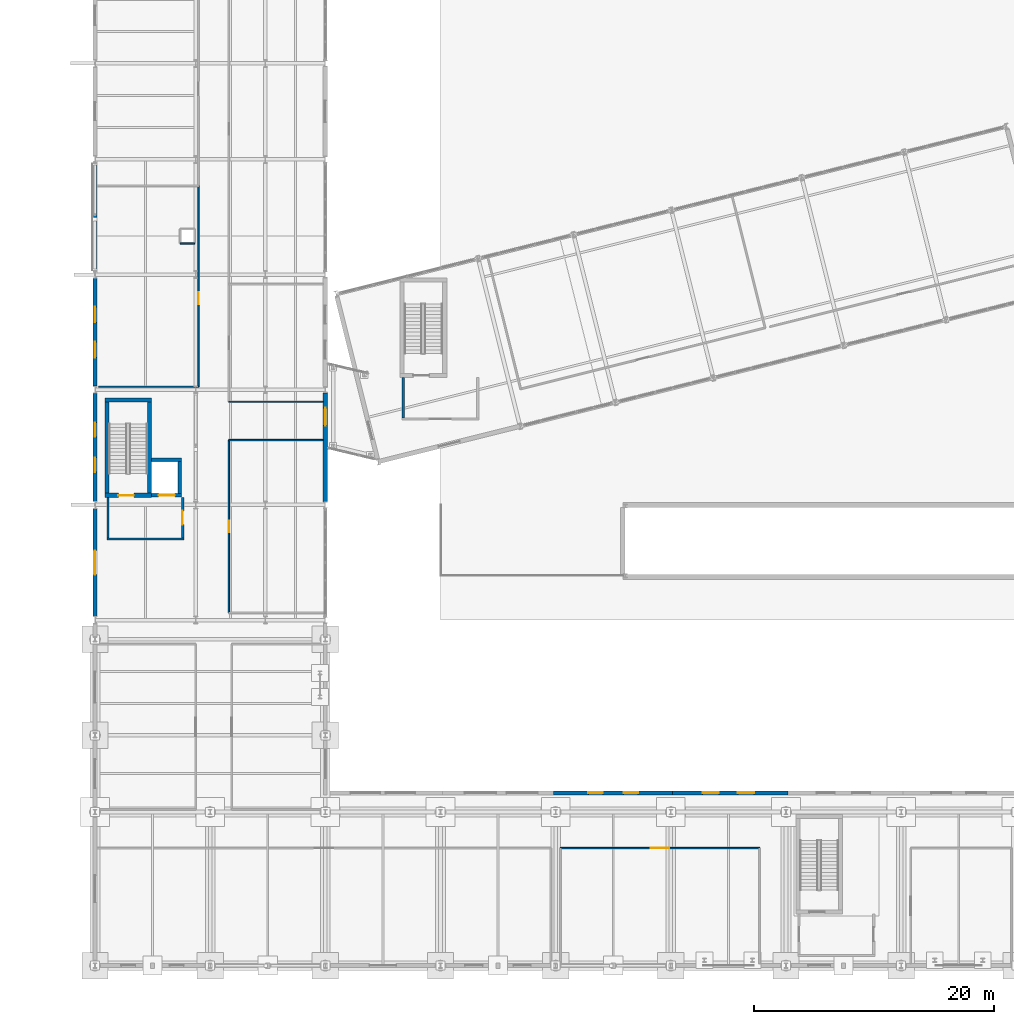
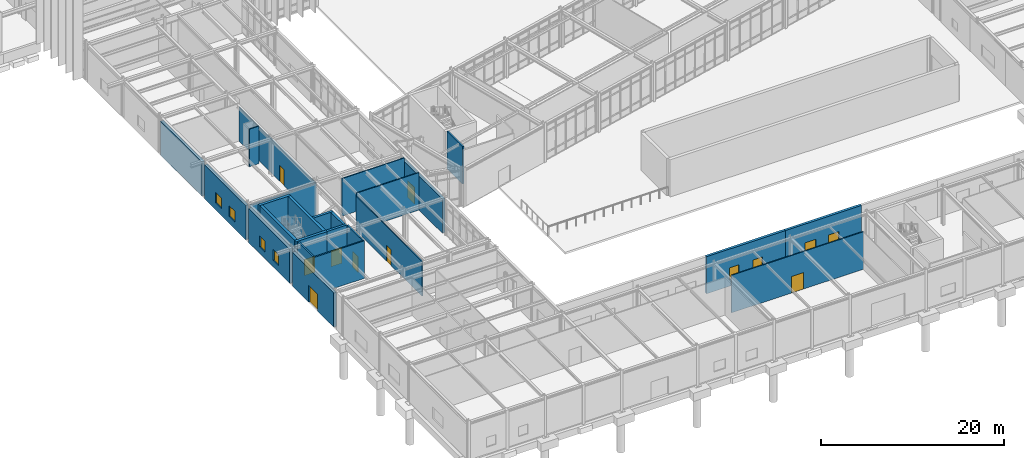
# One storey, part 85 of 109: 25 walls, 8 doors, 8 windows, 16 openings.
"""IFC4 building model written with IfcOpenShell, lengths in metres."""

from ifc_helpers import new_model, si_unit, direction, frame, frame_2d, origin, place, context, subcontext, project, spatial, rectangle, extrude, material, layer, layer_set, type_object, element, fill, save


model = new_model("IFC4")

# Units and contexts
model_context = context("Model", 3, precision=1e-05, world=origin(), true_north=direction((0.0, 1.0)))
body_context = subcontext(model_context, "Body", "Model", "MODEL_VIEW")
ifc_project = project(units=[si_unit("LENGTHUNIT", "METRE"), si_unit("AREAUNIT", "SQUARE_METRE"), si_unit("VOLUMEUNIT", "CUBIC_METRE"), si_unit("PLANEANGLEUNIT", "RADIAN"), si_unit("MASSUNIT", "GRAM", prefix="KILO")], contexts=[model_context])

# Site, building, storey
site_placement = place(None, origin())
site = spatial("IfcSite", under=ifc_project, at=site_placement, CompositionType="ELEMENT")
building_placement = place(site_placement, origin())
building = spatial("IfcBuilding", under=site, at=building_placement, Name="Nordkorset Police Headquarters", CompositionType="ELEMENT")
storey_placement = place(building_placement, origin())
storey = spatial("IfcBuildingStorey", under=building, at=storey_placement, Name="L00", CompositionType="ELEMENT", Elevation=0.0)

# Walls
ifc_material_1 = material(Name="Gypsum board", Category="gypsum")
ifc_layer_1 = layer(ifc_material_1, 0.179931640625, Name="Gypsum board")
ifc_layer_set_1 = layer_set([ifc_layer_1], Name="Gypsum board")
wall_type_1 = type_object("IfcWallType", Name="Wall_Comp_180", PredefinedType="PARTITIONING", material=ifc_layer_set_1)
wall_1_placement = place(storey_placement, frame((1.0, 35.56005859375, 0.0), z_axis=(0.0, 0.0, 1.0), x_axis=(1.0, 0.0, 0.0)))
element("IfcWall", 1, at=wall_1_placement, inside=storey, type_object=wall_type_1, Name="Firefighting Lobby EI 60 Wall K4 L00 S", PredefinedType="PARTITIONING", context=body_context, shape_type="SweptSolid", body=[
    extrude(rectangle(XDim=6.39990234375, YDim=0.179931640625, at=frame_2d((3.199951171875, 0.0))), origin(), (0.0, 0.0, 1.0), 5.0),
])
wall_2_placement = place(storey_placement, frame((1.090087890625, 35.64990234375, 0.0), z_axis=(0.0, 0.0, 1.0), x_axis=(0.0, 1.0, 0.0)))
element("IfcWall", 2, at=wall_2_placement, inside=storey, type_object=wall_type_1, Name="Firefighting Lobby EI 60 Wall K4 L00 W", PredefinedType="PARTITIONING", context=body_context, shape_type="SweptSolid", body=[
    extrude(rectangle(XDim=3.375, YDim=0.179931640625, at=frame_2d((1.6875, 0.0))), origin(), (0.0, 0.0, 1.0), 5.0),
])

# Wall, opening, door
wall_3_placement = place(storey_placement, frame((7.31005859375, 35.64990234375, 0.0), z_axis=(0.0, 0.0, 1.0), x_axis=(0.0, 1.0, 0.0)))
wall_3 = element("IfcWall", 3, at=wall_3_placement, inside=storey, type_object=wall_type_1, Name="Firefighting Lobby EI 60 Wall K4 L00 E", PredefinedType="PARTITIONING", context=body_context, shape_type="SweptSolid", body=[
    extrude(rectangle(XDim=3.375, YDim=0.179931640625, at=frame_2d((1.6875, 0.0))), origin(), (0.0, 0.0, 1.0), 5.0),
])
opening_1_placement = place(wall_3_placement, frame((1.112548828125, 0.0, 0.0)))
opening_1 = element("IfcOpeningElement", 4, at=opening_1_placement, cuts=wall_3, Name="Opening DR-01", PredefinedType="OPENING", context=body_context, shape_type="SweptSolid", body=[
    extrude(rectangle(XDim=1.14990234375, YDim=2.14990234375, at=frame_2d((0.574951171875, 1.074951171875))), frame((0.0, 0.10009765625, 0.0), z_axis=(0.0, -1.0, 0.0), x_axis=(1.0, 0.0, 0.0)), (0.0, 0.0, 1.0), 0.199951171875),
])
ifc_material_2 = material(Name="Steel S355J2", Category="steel")
door_type_1 = type_object("IfcDoorType", Name="Door_LobbySingle_1150x2150", OperationType="NOTDEFINED", PredefinedType="DOOR", material=ifc_material_2)
door_1_placement = place(opening_1_placement, origin())
door_1 = element("IfcDoor", 5, at=door_1_placement, inside=storey, type_object=door_type_1, Name="Firefighting Lobby Smoke Door K4 L00 E", OperationType="SINGLE_SWING_LEFT", OverallHeight=2.14990234375, OverallWidth=1.14990234375, PredefinedType="DOOR", context=body_context, shape_type="SweptSolid", body=[
    extrude(rectangle(XDim=1.14990234375, YDim=2.14990234375, at=frame_2d((0.574951171875, 1.074951171875))), frame((0.0, 0.02490234375, 0.0), z_axis=(0.0, -1.0, 0.0), x_axis=(1.0, 0.0, 0.0)), (0.0, 0.0, 1.0), 0.050048828125),
])
fill(opening_1, door_1)

# Wall
wall_4_placement = place(storey_placement, frame((25.68994140625, 45.64990234375, 0.0), z_axis=(0.0, 0.0, 1.0), x_axis=(0.0, 1.0, 0.0)))
element("IfcWall", 6, at=wall_4_placement, inside=storey, type_object=wall_type_1, Name="Firefighting Lobby EI 60 Wall K7 L00 W", PredefinedType="PARTITIONING", context=body_context, shape_type="SweptSolid", body=[
    extrude(rectangle(XDim=3.375, YDim=0.179931640625, at=frame_2d((1.6875, 0.0))), origin(), (0.0, 0.0, 1.0), 5.0),
])

# Wall, opening, door
ifc_material_3 = material(Name="Concrete C35/45", Category="concrete")
ifc_layer_2 = layer(ifc_material_3, 0.35009765625, Name="Concrete C35/45")
ifc_layer_set_2 = layer_set([ifc_layer_2], Name="Concrete C35/45")
wall_type_2 = type_object("IfcWallType", Name="Wall_CoreShear_350", PredefinedType="SHEAR", material=ifc_layer_set_2)
wall_5_placement = place(storey_placement, frame((0.824951171875, 39.199951171875, 0.0), z_axis=(0.0, 0.0, 1.0), x_axis=(1.0, 0.0, 0.0)))
wall_5 = element("IfcWall", 7, at=wall_5_placement, inside=storey, type_object=wall_type_2, Name="Core K4 Stair Shaft South Shear Wall L00", PredefinedType="SHEAR", context=body_context, shape_type="SweptSolid", body=[
    extrude(rectangle(XDim=3.900146484375, YDim=0.35009765625, at=frame_2d((1.9501953125, 0.0))), origin(), (0.0, 0.0, 1.0), 5.0),
])
opening_2_placement = place(wall_5_placement, frame((1.125, 0.0, 0.0)))
opening_2 = element("IfcOpeningElement", 8, at=opening_2_placement, cuts=wall_5, Name="Opening DR-20", PredefinedType="OPENING", context=body_context, shape_type="SweptSolid", body=[
    extrude(rectangle(XDim=1.300048828125, YDim=2.14990234375, at=frame_2d((0.64990234375, 1.074951171875))), frame((0.0, 0.18505859375, 0.0), z_axis=(0.0, -1.0, 0.0), x_axis=(1.0, 0.0, 0.0)), (0.0, 0.0, 1.0), 0.3701171875),
])
ifc_material_4 = material(Name="Steel S355J2", Category="steel")
door_type_2 = type_object("IfcDoorType", Name="Door_Stair_1300x2150", OperationType="NOTDEFINED", PredefinedType="DOOR", material=ifc_material_4)
door_2_placement = place(opening_2_placement, origin())
door_2 = element("IfcDoor", 9, at=door_2_placement, inside=storey, type_object=door_type_2, Name="Protected Stair Fire Door ST-04 L00", OperationType="SINGLE_SWING_RIGHT", OverallHeight=2.14990234375, OverallWidth=1.300048828125, PredefinedType="DOOR", context=body_context, shape_type="SweptSolid", body=[
    extrude(rectangle(XDim=1.300048828125, YDim=2.14990234375, at=frame_2d((0.64990234375, 1.074951171875))), frame((0.0, 0.02490234375, 0.0), z_axis=(0.0, -1.0, 0.0), x_axis=(1.0, 0.0, 0.0)), (0.0, 0.0, 1.0), 0.050048828125),
])
fill(opening_2, door_2)

# Walls
wall_6_placement = place(storey_placement, frame((0.824951171875, 47.14990234375, 0.0), z_axis=(0.0, 0.0, 1.0), x_axis=(1.0, 0.0, 0.0)))
element("IfcWall", 10, at=wall_6_placement, inside=storey, type_object=wall_type_2, Name="Core K4 Stair Shaft North Shear Wall L00", PredefinedType="SHEAR", context=body_context, shape_type="SweptSolid", body=[
    extrude(rectangle(XDim=3.900146484375, YDim=0.35009765625, at=frame_2d((1.9501953125, 0.0))), origin(), (0.0, 0.0, 1.0), 5.0),
])
for number, where, z_axis, x_axis, name in (
    (11, (1.0, 39.375, 0.0), (0.0, 0.0, 1.0), (0.0, 1.0, 0.0), "Core K4 Stair Shaft West Shear Wall L00"),
    (12, (4.550048828125, 39.375, 0.0), (0.0, 0.0, 1.0), (0.0, 1.0, 0.0), "Core K4 Stair Shaft East Shear Wall L00"),
):
    element("IfcWall", number, at=place(storey_placement, frame(where, z_axis=z_axis, x_axis=x_axis)), inside=storey, type_object=wall_type_2, Name=name, PredefinedType="SHEAR", context=body_context, shape_type="SweptSolid", body=[
        extrude(rectangle(XDim=7.60009765625, YDim=0.35009765625, at=frame_2d((3.800048828125, 0.0))), origin(), (0.0, 0.0, 1.0), 5.0),
    ])

# Wall, openings, windows
ifc_material_5 = material(Name="Precast concrete C40/50", Category="concrete")
ifc_layer_3 = layer(ifc_material_5, 0.320068359375, Name="Precast concrete C40/50")
ifc_layer_set_3 = layer_set([ifc_layer_3], Name="Precast concrete C40/50")
wall_type_3 = type_object("IfcWallType", Name="Wall_ExtPlinth_320", PredefinedType="SOLIDWALL", material=ifc_layer_set_3)
wall_7_placement = place(storey_placement, frame((38.239990234375, 14.39990234375, 0.0), z_axis=(0.0, 0.0, 1.0), x_axis=(1.0, 0.0, 0.0)))
wall_7 = element("IfcWall", 13, at=wall_7_placement, inside=storey, type_object=wall_type_3, Name="Exterior Insulated Precast Wall L00 V7N-4", PredefinedType="SOLIDWALL", context=body_context, shape_type="SweptSolid", body=[
    extrude(rectangle(XDim=9.919921875, YDim=0.320068359375, at=frame_2d((4.9599609375, 0.0))), origin(), (0.0, 0.0, 1.0), 4.949951171875),
])
opening_3_placement = place(wall_7_placement, frame((2.893310546875, 0.0, 0.89990234375)))
opening_3 = element("IfcOpeningElement", 14, at=opening_3_placement, cuts=wall_7, Name="Opening WN-45", PredefinedType="OPENING", context=body_context, shape_type="SweptSolid", body=[
    extrude(rectangle(XDim=1.199951171875, YDim=1.550048828125, at=frame_2d((0.60009765625, 0.77490234375))), frame((0.0, 0.169921875, 0.0), z_axis=(0.0, -1.0, 0.0), x_axis=(1.0, 0.0, 0.0)), (0.0, 0.0, 1.0), 0.340087890625),
])
opening_4_placement = place(wall_7_placement, frame((5.82666015625, 0.0, 0.89990234375)))
opening_4 = element("IfcOpeningElement", 15, at=opening_4_placement, cuts=wall_7, Name="Opening WN-45", PredefinedType="OPENING", context=body_context, shape_type="SweptSolid", body=[
    extrude(rectangle(XDim=1.199951171875, YDim=1.550048828125, at=frame_2d((0.60009765625, 0.77490234375))), frame((0.0, 0.169921875, 0.0), z_axis=(0.0, -1.0, 0.0), x_axis=(1.0, 0.0, 0.0)), (0.0, 0.0, 1.0), 0.340087890625),
])
ifc_material_6 = material(Name="Low-iron triple glazing", Category="glass")
window_type_1 = type_object("IfcWindowType", Name="Win_1200x1550", PartitioningType="SINGLE_PANEL", PredefinedType="WINDOW", material=ifc_material_6)
window_1_placement = place(opening_3_placement, origin())
window_1 = element("IfcWindow", 16, at=window_1_placement, inside=storey, type_object=window_type_1, Name="Triple-Glazed Exterior Window L00 V7N-4-1", OverallHeight=1.550048828125, OverallWidth=1.199951171875, PartitioningType="SINGLE_PANEL", PredefinedType="WINDOW", context=body_context, shape_type="SweptSolid", body=[
    extrude(rectangle(XDim=1.199951171875, YDim=1.550048828125, at=frame_2d((0.60009765625, 0.77490234375))), frame((0.0, 0.030029296875, 0.0), z_axis=(0.0, -1.0, 0.0), x_axis=(1.0, 0.0, 0.0)), (0.0, 0.0, 1.0), 0.06005859375),
])
fill(opening_3, window_1)
window_2_placement = place(opening_4_placement, origin())
window_2 = element("IfcWindow", 17, at=window_2_placement, inside=storey, type_object=window_type_1, Name="Triple-Glazed Exterior Window L00 V7N-4-2", OverallHeight=1.550048828125, OverallWidth=1.199951171875, PartitioningType="SINGLE_PANEL", PredefinedType="WINDOW", context=body_context, shape_type="SweptSolid", body=[
    extrude(rectangle(XDim=1.199951171875, YDim=1.550048828125, at=frame_2d((0.60009765625, 0.77490234375))), frame((0.0, 0.030029296875, 0.0), z_axis=(0.0, -1.0, 0.0), x_axis=(1.0, 0.0, 0.0)), (0.0, 0.0, 1.0), 0.06005859375),
])
fill(opening_4, window_2)

wall_8_placement = place(storey_placement, frame((47.840087890625, 14.39990234375, 0.0), z_axis=(0.0, 0.0, 1.0), x_axis=(1.0, 0.0, 0.0)))
wall_8 = element("IfcWall", 18, at=wall_8_placement, inside=storey, type_object=wall_type_3, Name="Exterior Insulated Precast Wall L00 V7N-5", PredefinedType="SOLIDWALL", context=body_context, shape_type="SweptSolid", body=[
    extrude(rectangle(XDim=9.919921875, YDim=0.320068359375, at=frame_2d((4.9599609375, 0.0))), origin(), (0.0, 0.0, 1.0), 4.949951171875),
])
opening_5_placement = place(wall_8_placement, frame((2.818359375, 0.0, 0.89990234375)))
opening_5 = element("IfcOpeningElement", 19, at=opening_5_placement, cuts=wall_8, Name="Opening WN-22", PredefinedType="OPENING", context=body_context, shape_type="SweptSolid", body=[
    extrude(rectangle(XDim=1.35009765625, YDim=1.550048828125, at=frame_2d((0.675048828125, 0.77490234375))), frame((0.0, 0.169921875, 0.0), z_axis=(0.0, -1.0, 0.0), x_axis=(1.0, 0.0, 0.0)), (0.0, 0.0, 1.0), 0.340087890625),
])
opening_6_placement = place(wall_8_placement, frame((5.751708984375, 0.0, 0.89990234375)))
opening_6 = element("IfcOpeningElement", 20, at=opening_6_placement, cuts=wall_8, Name="Opening WN-22", PredefinedType="OPENING", context=body_context, shape_type="SweptSolid", body=[
    extrude(rectangle(XDim=1.35009765625, YDim=1.550048828125, at=frame_2d((0.675048828125, 0.77490234375))), frame((0.0, 0.169921875, 0.0), z_axis=(0.0, -1.0, 0.0), x_axis=(1.0, 0.0, 0.0)), (0.0, 0.0, 1.0), 0.340087890625),
])
ifc_material_7 = material(Name="Low-iron triple glazing", Category="glass")
window_type_2 = type_object("IfcWindowType", Name="Win_1350x1550", PartitioningType="SINGLE_PANEL", PredefinedType="WINDOW", material=ifc_material_7)
window_3_placement = place(opening_5_placement, origin())
window_3 = element("IfcWindow", 21, at=window_3_placement, inside=storey, type_object=window_type_2, Name="Triple-Glazed Exterior Window L00 V7N-5-1", OverallHeight=1.550048828125, OverallWidth=1.35009765625, PartitioningType="SINGLE_PANEL", PredefinedType="WINDOW", context=body_context, shape_type="SweptSolid", body=[
    extrude(rectangle(XDim=1.35009765625, YDim=1.550048828125, at=frame_2d((0.675048828125, 0.77490234375))), frame((0.0, 0.030029296875, 0.0), z_axis=(0.0, -1.0, 0.0), x_axis=(1.0, 0.0, 0.0)), (0.0, 0.0, 1.0), 0.06005859375),
])
fill(opening_5, window_3)
window_4_placement = place(opening_6_placement, origin())
window_4 = element("IfcWindow", 22, at=window_4_placement, inside=storey, type_object=window_type_2, Name="Triple-Glazed Exterior Window L00 V7N-5-2", OverallHeight=1.550048828125, OverallWidth=1.35009765625, PartitioningType="SINGLE_PANEL", PredefinedType="WINDOW", context=body_context, shape_type="SweptSolid", body=[
    extrude(rectangle(XDim=1.35009765625, YDim=1.550048828125, at=frame_2d((0.675048828125, 0.77490234375))), frame((0.0, 0.030029296875, 0.0), z_axis=(0.0, -1.0, 0.0), x_axis=(1.0, 0.0, 0.0)), (0.0, 0.0, 1.0), 0.06005859375),
])
fill(opening_6, window_4)

# Wall, opening, door
ifc_material_8 = material(Name="Precast concrete C40/50", Category="concrete")
ifc_layer_4 = layer(ifc_material_8, 0.360107421875, Name="Precast concrete C40/50")
ifc_layer_set_4 = layer_set([ifc_layer_4], Name="Precast concrete C40/50")
wall_type_4 = type_object("IfcWallType", Name="Wall_ExtPrecast_360", PredefinedType="SOLIDWALL", material=ifc_layer_set_4)
wall_9_placement = place(storey_placement, frame((0.0, 29.10205078125, 0.0), z_axis=(0.0, 0.0, 1.0), x_axis=(0.0, 1.0, 0.0)))
wall_9 = element("IfcWall", 23, at=wall_9_placement, inside=storey, type_object=wall_type_4, Name="Exterior Insulated Precast Wall L00 V3W-0", PredefinedType="SOLIDWALL", context=body_context, shape_type="SweptSolid", body=[
    extrude(rectangle(XDim=8.995849609375, YDim=0.360107421875, at=frame_2d((4.498046875, 0.0))), origin(), (0.0, 0.0, 1.0), 4.5400390625),
])
opening_7_placement = place(wall_9_placement, frame((3.498046875, 0.0, 0.0)))
opening_7 = element("IfcOpeningElement", 24, at=opening_7_placement, cuts=wall_9, Name="Opening ED-06", PredefinedType="OPENING", context=body_context, shape_type="SweptSolid", body=[
    extrude(rectangle(XDim=2.0, YDim=2.25, at=frame_2d((1.0, 1.125))), frame((0.0, 0.18994140625, 0.0), z_axis=(0.0, -1.0, 0.0), x_axis=(1.0, 0.0, 0.0)), (0.0, 0.0, 1.0), 0.380126953125),
])
ifc_material_9 = material(Name="Steel S355J2", Category="steel")
door_type_3 = type_object("IfcDoorType", Name="ExtDoor_CoreExit_2000x2250", OperationType="DOUBLE_DOOR_SINGLE_SWING", PredefinedType="DOOR", material=ifc_material_9)
door_3_placement = place(opening_7_placement, origin())
door_3 = element("IfcDoor", 25, at=door_3_placement, inside=storey, type_object=door_type_3, Name="Forensic Wing Boulevard Final Exit Door ED-06", OperationType="SINGLE_SWING_LEFT", OverallHeight=2.25, OverallWidth=2.0, PredefinedType="DOOR", context=body_context, shape_type="SweptSolid", body=[
    extrude(rectangle(XDim=2.0, YDim=2.25, at=frame_2d((1.0, 1.125))), frame((0.0, 0.02490234375, 0.0), z_axis=(0.0, -1.0, 0.0), x_axis=(1.0, 0.0, 0.0)), (0.0, 0.0, 1.0), 0.050048828125),
])
fill(opening_7, door_3)

# Wall, openings, windows
wall_10_placement = place(storey_placement, frame((0.0, 38.701904296875, 0.0), z_axis=(0.0, 0.0, 1.0), x_axis=(0.0, 1.0, 0.0)))
wall_10 = element("IfcWall", 26, at=wall_10_placement, inside=storey, type_object=wall_type_4, Name="Exterior Insulated Precast Wall L00 V3W-1", PredefinedType="SOLIDWALL", context=body_context, shape_type="SweptSolid", body=[
    extrude(rectangle(XDim=8.99609375, YDim=0.360107421875, at=frame_2d((4.498046875, 0.0))), origin(), (0.0, 0.0, 1.0), 4.5400390625),
])
opening_8_placement = place(wall_10_placement, frame((2.431396484375, 0.0, 0.89990234375)))
opening_8 = element("IfcOpeningElement", 27, at=opening_8_placement, cuts=wall_10, Name="Opening WN-09", PredefinedType="OPENING", context=body_context, shape_type="SweptSolid", body=[
    extrude(rectangle(XDim=1.199951171875, YDim=1.449951171875, at=frame_2d((0.60009765625, 0.72509765625))), frame((0.0, 0.18994140625, 0.0), z_axis=(0.0, -1.0, 0.0), x_axis=(1.0, 0.0, 0.0)), (0.0, 0.0, 1.0), 0.380126953125),
])
opening_9_placement = place(wall_10_placement, frame((5.36474609375, 0.0, 0.89990234375)))
opening_9 = element("IfcOpeningElement", 28, at=opening_9_placement, cuts=wall_10, Name="Opening WN-09", PredefinedType="OPENING", context=body_context, shape_type="SweptSolid", body=[
    extrude(rectangle(XDim=1.199951171875, YDim=1.449951171875, at=frame_2d((0.60009765625, 0.72509765625))), frame((0.0, 0.18994140625, 0.0), z_axis=(0.0, -1.0, 0.0), x_axis=(1.0, 0.0, 0.0)), (0.0, 0.0, 1.0), 0.380126953125),
])
ifc_material_10 = material(Name="Low-iron triple glazing", Category="glass")
window_type_3 = type_object("IfcWindowType", Name="Win_1200x1450", PartitioningType="SINGLE_PANEL", PredefinedType="WINDOW", material=ifc_material_10)
window_5_placement = place(opening_8_placement, origin())
window_5 = element("IfcWindow", 29, at=window_5_placement, inside=storey, type_object=window_type_3, Name="Triple-Glazed Exterior Window L00 V3W-1-1", OverallHeight=1.449951171875, OverallWidth=1.199951171875, PartitioningType="SINGLE_PANEL", PredefinedType="WINDOW", context=body_context, shape_type="SweptSolid", body=[
    extrude(rectangle(XDim=1.199951171875, YDim=1.449951171875, at=frame_2d((0.60009765625, 0.72509765625))), frame((0.0, 0.030029296875, 0.0), z_axis=(0.0, -1.0, 0.0), x_axis=(1.0, 0.0, 0.0)), (0.0, 0.0, 1.0), 0.06005859375),
])
fill(opening_8, window_5)
window_6_placement = place(opening_9_placement, origin())
window_6 = element("IfcWindow", 30, at=window_6_placement, inside=storey, type_object=window_type_3, Name="Triple-Glazed Exterior Window L00 V3W-1-2", OverallHeight=1.449951171875, OverallWidth=1.199951171875, PartitioningType="SINGLE_PANEL", PredefinedType="WINDOW", context=body_context, shape_type="SweptSolid", body=[
    extrude(rectangle(XDim=1.199951171875, YDim=1.449951171875, at=frame_2d((0.60009765625, 0.72509765625))), frame((0.0, 0.030029296875, 0.0), z_axis=(0.0, -1.0, 0.0), x_axis=(1.0, 0.0, 0.0)), (0.0, 0.0, 1.0), 0.06005859375),
])
fill(opening_9, window_6)

# Wall, opening, door
wall_11_placement = place(storey_placement, frame((19.199951171875, 38.652099609375, 0.0), z_axis=(0.0, 0.0, 1.0), x_axis=(0.0, 1.0, 0.0)))
wall_11 = element("IfcWall", 31, at=wall_11_placement, inside=storey, type_object=wall_type_4, Name="Exterior Insulated Precast Wall L00 V3E-1", PredefinedType="SOLIDWALL", context=body_context, shape_type="SweptSolid", body=[
    extrude(rectangle(XDim=9.095947265625, YDim=0.360107421875, at=frame_2d((4.5478515625, 0.0))), origin(), (0.0, 0.0, 1.0), 4.5400390625),
])
opening_10_placement = place(wall_11_placement, frame((6.347900390625, 0.0, 0.0)))
opening_10 = element("IfcOpeningElement", 32, at=opening_10_placement, cuts=wall_11, Name="Opening EXD-03", PredefinedType="OPENING", context=body_context, shape_type="SweptSolid", body=[
    extrude(rectangle(XDim=1.5, YDim=2.199951171875, at=frame_2d((0.75, 1.10009765625))), frame((0.0, 0.18994140625, 0.0), z_axis=(0.0, -1.0, 0.0), x_axis=(1.0, 0.0, 0.0)), (0.0, 0.0, 1.0), 0.380126953125),
])
ifc_material_11 = material(Name="Aluminium alloy AW-6060", Category="aluminium")
door_type_4 = type_object("IfcDoorType", Name="ExtDoor_BridgePortal_1500x2200", OperationType="DOUBLE_DOOR_SINGLE_SWING", PredefinedType="DOOR", material=ifc_material_11)
door_4_placement = place(opening_10_placement, frame((1.5, 0.0, 0.0), z_axis=(0.0, 0.0, 1.0), x_axis=(-1.0, 0.0, 0.0)))
door_4 = element("IfcDoor", 33, at=door_4_placement, inside=storey, type_object=door_type_4, Name="West Link Bridge Portal Door V3 L00", OperationType="SINGLE_SWING_LEFT", OverallHeight=2.199951171875, OverallWidth=1.5, PredefinedType="DOOR", context=body_context, shape_type="SweptSolid", body=[
    extrude(rectangle(XDim=1.5, YDim=2.199951171875, at=frame_2d((0.75, 1.10009765625))), frame((0.0, 0.02490234375, 0.0), z_axis=(0.0, -1.0, 0.0), x_axis=(1.0, 0.0, 0.0)), (0.0, 0.0, 1.0), 0.050048828125),
])
fill(opening_10, door_4)

# Wall, openings, windows
wall_12_placement = place(storey_placement, frame((0.0, 48.302001953125, 0.0), z_axis=(0.0, 0.0, 1.0), x_axis=(0.0, 1.0, 0.0)))
wall_12 = element("IfcWall", 34, at=wall_12_placement, inside=storey, type_object=wall_type_4, Name="Exterior Insulated Precast Wall L00 V3W-2", PredefinedType="SOLIDWALL", context=body_context, shape_type="SweptSolid", body=[
    extrude(rectangle(XDim=8.99609375, YDim=0.360107421875, at=frame_2d((4.498046875, 0.0))), origin(), (0.0, 0.0, 1.0), 4.5400390625),
])
opening_11_placement = place(wall_12_placement, frame((2.38134765625, 0.0, 0.89990234375)))
opening_11 = element("IfcOpeningElement", 35, at=opening_11_placement, cuts=wall_12, Name="Opening WN-18", PredefinedType="OPENING", context=body_context, shape_type="SweptSolid", body=[
    extrude(rectangle(XDim=1.300048828125, YDim=1.449951171875, at=frame_2d((0.64990234375, 0.72509765625))), frame((0.0, 0.18994140625, 0.0), z_axis=(0.0, -1.0, 0.0), x_axis=(1.0, 0.0, 0.0)), (0.0, 0.0, 1.0), 0.380126953125),
])
opening_12_placement = place(wall_12_placement, frame((5.314697265625, 0.0, 0.89990234375)))
opening_12 = element("IfcOpeningElement", 36, at=opening_12_placement, cuts=wall_12, Name="Opening WN-18", PredefinedType="OPENING", context=body_context, shape_type="SweptSolid", body=[
    extrude(rectangle(XDim=1.300048828125, YDim=1.449951171875, at=frame_2d((0.64990234375, 0.72509765625))), frame((0.0, 0.18994140625, 0.0), z_axis=(0.0, -1.0, 0.0), x_axis=(1.0, 0.0, 0.0)), (0.0, 0.0, 1.0), 0.380126953125),
])
ifc_material_12 = material(Name="Low-iron triple glazing", Category="glass")
window_type_4 = type_object("IfcWindowType", Name="Win_1300x1450", PartitioningType="SINGLE_PANEL", PredefinedType="WINDOW", material=ifc_material_12)
window_7_placement = place(opening_11_placement, origin())
window_7 = element("IfcWindow", 37, at=window_7_placement, inside=storey, type_object=window_type_4, Name="Triple-Glazed Exterior Window L00 V3W-2-1", OverallHeight=1.449951171875, OverallWidth=1.300048828125, PartitioningType="SINGLE_PANEL", PredefinedType="WINDOW", context=body_context, shape_type="SweptSolid", body=[
    extrude(rectangle(XDim=1.300048828125, YDim=1.449951171875, at=frame_2d((0.64990234375, 0.72509765625))), frame((0.0, 0.030029296875, 0.0), z_axis=(0.0, -1.0, 0.0), x_axis=(1.0, 0.0, 0.0)), (0.0, 0.0, 1.0), 0.06005859375),
])
fill(opening_11, window_7)
window_8_placement = place(opening_12_placement, origin())
window_8 = element("IfcWindow", 38, at=window_8_placement, inside=storey, type_object=window_type_4, Name="Triple-Glazed Exterior Window L00 V3W-2-2", OverallHeight=1.449951171875, OverallWidth=1.300048828125, PartitioningType="SINGLE_PANEL", PredefinedType="WINDOW", context=body_context, shape_type="SweptSolid", body=[
    extrude(rectangle(XDim=1.300048828125, YDim=1.449951171875, at=frame_2d((0.64990234375, 0.72509765625))), frame((0.0, 0.030029296875, 0.0), z_axis=(0.0, -1.0, 0.0), x_axis=(1.0, 0.0, 0.0)), (0.0, 0.0, 1.0), 0.06005859375),
])
fill(opening_12, window_8)

# Walls
wall_13_placement = place(storey_placement, frame((0.0, 57.902099609375, 0.0), z_axis=(0.0, 0.0, 1.0), x_axis=(0.0, 1.0, 0.0)))
element("IfcWall", 39, at=wall_13_placement, inside=storey, type_object=wall_type_4, Name="Exterior Insulated Precast Wall L00 V3W-3", PredefinedType="SOLIDWALL", context=body_context, shape_type="SweptSolid", body=[
    extrude(rectangle(XDim=8.995849609375, YDim=0.360107421875, at=frame_2d((4.498046875, 0.0))), origin(), (0.0, 0.0, 1.0), 4.5400390625),
])
ifc_material_13 = material(Name="Gypsum board", Category="gypsum")
ifc_layer_5 = layer(ifc_material_13, 0.1201171875, Name="Gypsum board")
ifc_layer_set_5 = layer_set([ifc_layer_5], Name="Gypsum board")
wall_type_5 = type_object("IfcWallType", Name="Wall_Part_120", PredefinedType="PARTITIONING", material=ifc_layer_set_5)
wall_14_placement = place(storey_placement, frame((0.300048828125, 48.25, 0.0), z_axis=(0.0, 0.0, 1.0), x_axis=(1.0, 0.0, 0.0)))
element("IfcWall", 40, at=wall_14_placement, inside=storey, type_object=wall_type_5, Name="Interior Partition Wall Crime Scene Unit Rapid Dispatch Room", PredefinedType="PARTITIONING", context=body_context, shape_type="SweptSolid", body=[
    extrude(rectangle(XDim=8.33984375, YDim=0.1201171875, at=frame_2d((4.169921875, 0.0))), origin(), (0.0, 0.0, 1.0), 4.5400390625),
])

# Wall, opening, door
wall_15_placement = place(storey_placement, frame((8.639892578125, 48.25, 0.0), z_axis=(0.0, 0.0, 1.0), x_axis=(0.0, 1.0, 0.0)))
wall_15 = element("IfcWall", 41, at=wall_15_placement, inside=storey, type_object=wall_type_5, Name="Interior Partition Wall Crime Scene Unit Rapid Dispatch Room", PredefinedType="PARTITIONING", context=body_context, shape_type="SweptSolid", body=[
    extrude(rectangle(XDim=16.75, YDim=0.1201171875, at=frame_2d((8.375, 0.0))), origin(), (0.0, 0.0, 1.0), 4.5400390625),
])
opening_13_placement = place(wall_15_placement, frame((6.885009765625, 0.0, 0.0)))
opening_13 = element("IfcOpeningElement", 42, at=opening_13_placement, cuts=wall_15, Name="Opening DR-18", PredefinedType="OPENING", context=body_context, shape_type="SweptSolid", body=[
    extrude(rectangle(XDim=0.97998046875, YDim=2.10009765625, at=frame_2d((0.489990234375, 1.050048828125))), frame((0.0, 0.070068359375, 0.0), z_axis=(0.0, -1.0, 0.0), x_axis=(1.0, 0.0, 0.0)), (0.0, 0.0, 1.0), 0.14013671875),
])
ifc_material_14 = material(Name="Glulam GL30c", Category="wood")
door_type_5 = type_object("IfcDoorType", Name="Door_Office_980x2100", OperationType="NOTDEFINED", PredefinedType="DOOR", material=ifc_material_14)
door_5_placement = place(opening_13_placement, frame((0.97998046875, 0.0, 0.0), z_axis=(0.0, 0.0, 1.0), x_axis=(-1.0, 0.0, 0.0)))
door_5 = element("IfcDoor", 43, at=door_5_placement, inside=storey, type_object=door_type_5, Name="Interior Door Crime Scene Unit Rapid Dispatch Room", OperationType="SINGLE_SWING_RIGHT", OverallHeight=2.10009765625, OverallWidth=0.97998046875, PredefinedType="DOOR", context=body_context, shape_type="SweptSolid", body=[
    extrude(rectangle(XDim=0.97998046875, YDim=2.10009765625, at=frame_2d((0.489990234375, 1.050048828125))), frame((0.0, 0.02490234375, 0.0), z_axis=(0.0, -1.0, 0.0), x_axis=(1.0, 0.0, 0.0)), (0.0, 0.0, 1.0), 0.050048828125),
])
fill(opening_13, door_5)

# Wall
wall_16_placement = place(storey_placement, frame((19.02490234375, 43.800048828125, 0.0), z_axis=(0.0, 0.0, 1.0), x_axis=(-1.0, 0.0, 0.0)))
element("IfcWall", 44, at=wall_16_placement, inside=storey, type_object=wall_type_5, Name="Interior Partition Wall Biohazard Decontamination Suite", PredefinedType="PARTITIONING", context=body_context, shape_type="SweptSolid", body=[
    extrude(rectangle(XDim=7.864990234375, YDim=0.1201171875, at=frame_2d((3.9326171875, 0.0))), origin(), (0.0, 0.0, 1.0), 5.0),
])

# Wall, opening, door
wall_17_placement = place(storey_placement, frame((11.159912109375, 43.800048828125, 0.0), z_axis=(0.0, 0.0, 1.0), x_axis=(0.0, -1.0, 0.0)))
wall_17 = element("IfcWall", 45, at=wall_17_placement, inside=storey, type_object=wall_type_5, Name="Interior Partition Wall Biohazard Decontamination Suite", PredefinedType="PARTITIONING", context=body_context, shape_type="SweptSolid", body=[
    extrude(rectangle(XDim=14.400146484375, YDim=0.1201171875, at=frame_2d((7.2001953125, 0.0))), origin(), (0.0, 0.0, 1.0), 4.6201171875),
])
opening_14_placement = place(wall_17_placement, frame((6.7099609375, 0.0, 0.0)))
opening_14 = element("IfcOpeningElement", 46, at=opening_14_placement, cuts=wall_17, Name="Opening DR-18", PredefinedType="OPENING", context=body_context, shape_type="SweptSolid", body=[
    extrude(rectangle(XDim=0.97998046875, YDim=2.10009765625, at=frame_2d((0.489990234375, 1.050048828125))), frame((0.0, 0.070068359375, 0.0), z_axis=(0.0, -1.0, 0.0), x_axis=(1.0, 0.0, 0.0)), (0.0, 0.0, 1.0), 0.14013671875),
])
door_6_placement = place(opening_14_placement, frame((0.97998046875, 0.0, 0.0), z_axis=(0.0, 0.0, 1.0), x_axis=(-1.0, 0.0, 0.0)))
door_6 = element("IfcDoor", 47, at=door_6_placement, inside=storey, type_object=door_type_5, Name="Interior Door Biohazard Decontamination Suite", OperationType="SINGLE_SWING_RIGHT", OverallHeight=2.10009765625, OverallWidth=0.97998046875, PredefinedType="DOOR", context=body_context, shape_type="SweptSolid", body=[
    extrude(rectangle(XDim=0.97998046875, YDim=2.10009765625, at=frame_2d((0.489990234375, 1.050048828125))), frame((0.0, 0.02490234375, 0.0), z_axis=(0.0, -1.0, 0.0), x_axis=(1.0, 0.0, 0.0)), (0.0, 0.0, 1.0), 0.050048828125),
])
fill(opening_14, door_6)

# Wall
wall_18_placement = place(storey_placement, frame((11.159912109375, 47.0, 0.0), z_axis=(0.0, 0.0, 1.0), x_axis=(1.0, 0.0, 0.0)))
element("IfcWall", 48, at=wall_18_placement, inside=storey, type_object=wall_type_5, Name="Interior Partition Wall Forensic Field Kit Preparation Room", PredefinedType="PARTITIONING", context=body_context, shape_type="SweptSolid", body=[
    extrude(rectangle(XDim=7.864990234375, YDim=0.1201171875, at=frame_2d((3.9326171875, 0.0))), origin(), (0.0, 0.0, 1.0), 5.0),
])

# Wall, opening, door
wall_19_placement = place(storey_placement, frame((55.39990234375, 9.800048828125, 0.0), z_axis=(0.0, 0.0, 1.0), x_axis=(-1.0, 0.0, 0.0)))
wall_19 = element("IfcWall", 49, at=wall_19_placement, inside=storey, type_object=wall_type_5, Name="Interior Partition Wall Fleet Wash and Inspection Bay", PredefinedType="PARTITIONING", context=body_context, shape_type="SweptSolid", body=[
    extrude(rectangle(XDim=16.599853515625, YDim=0.1201171875, at=frame_2d((8.2998046875, 0.0))), origin(), (0.0, 0.0, 1.0), 5.0),
])
opening_15_placement = place(wall_19_placement, frame((7.530029296875, 0.0, 0.0)))
opening_15 = element("IfcOpeningElement", 50, at=opening_15_placement, cuts=wall_19, Name="Opening DR-03", PredefinedType="OPENING", context=body_context, shape_type="SweptSolid", body=[
    extrude(rectangle(XDim=1.5400390625, YDim=2.199951171875, at=frame_2d((0.77001953125, 1.10009765625))), frame((0.0, 0.070068359375, 0.0), z_axis=(0.0, -1.0, 0.0), x_axis=(1.0, 0.0, 0.0)), (0.0, 0.0, 1.0), 0.14013671875),
])
ifc_material_15 = material(Name="Steel S355J2", Category="steel")
door_type_6 = type_object("IfcDoorType", Name="Door_Workshop_1540x2200", OperationType="DOUBLE_DOOR_SINGLE_SWING", PredefinedType="DOOR", material=ifc_material_15)
door_7_placement = place(opening_15_placement, frame((1.5400390625, 0.0, 0.0), z_axis=(0.0, 0.0, 1.0), x_axis=(-1.0, 0.0, 0.0)))
door_7 = element("IfcDoor", 51, at=door_7_placement, inside=storey, type_object=door_type_6, Name="Interior Door Fleet Wash and Inspection Bay", OperationType="DOUBLE_DOOR_SINGLE_SWING", OverallHeight=2.199951171875, OverallWidth=1.5400390625, PredefinedType="DOOR", context=body_context, shape_type="SweptSolid", body=[
    extrude(rectangle(XDim=1.5400390625, YDim=2.199951171875, at=frame_2d((0.77001953125, 1.10009765625))), frame((0.0, 0.02490234375, 0.0), z_axis=(0.0, -1.0, 0.0), x_axis=(1.0, 0.0, 0.0)), (0.0, 0.0, 1.0), 0.050048828125),
])
fill(opening_15, door_7)

# Wall
ifc_material_16 = material(Name="Gypsum board", Category="gypsum")
ifc_layer_6 = layer(ifc_material_16, 0.125, Name="Gypsum board")
ifc_layer_set_6 = layer_set([ifc_layer_6], Name="Gypsum board")
wall_type_6 = type_object("IfcWallType", Name="Wall_Riser_125", PredefinedType="PARTITIONING", material=ifc_layer_set_6)
wall_20_placement = place(storey_placement, frame((7.10009765625, 60.199951171875, 0.0), z_axis=(0.0, 0.0, 1.0), x_axis=(1.0, 0.0, 0.0)))
element("IfcWall", 52, at=wall_20_placement, inside=storey, type_object=wall_type_6, Name="Service Riser Enclosure RSR-V3 L00", PredefinedType="PARTITIONING", context=body_context, shape_type="SweptSolid", body=[
    extrude(rectangle(XDim=1.199951171875, YDim=0.125, at=frame_2d((0.60009765625, 0.0))), origin(), (0.0, 0.0, 1.0), 5.0),
])

# Wall, opening, door
ifc_material_17 = material(Name="Concrete C35/45", Category="concrete")
ifc_layer_7 = layer(ifc_material_17, 0.300048828125, Name="Concrete C35/45")
ifc_layer_set_7 = layer_set([ifc_layer_7], Name="Concrete C35/45")
wall_type_7 = type_object("IfcWallType", Name="Wall_ShaftShear_300", PredefinedType="SHEAR", material=ifc_layer_set_7)
wall_21_placement = place(storey_placement, frame((4.72509765625, 39.199951171875, 0.0), z_axis=(0.0, 0.0, 1.0), x_axis=(1.0, 0.0, 0.0)))
wall_21 = element("IfcWall", 53, at=wall_21_placement, inside=storey, type_object=wall_type_7, Name="Lift Shaft LF-06 Front Shear Wall L00", PredefinedType="SHEAR", context=body_context, shape_type="SweptSolid", body=[
    extrude(rectangle(XDim=2.5, YDim=0.300048828125, at=frame_2d((1.25, 0.0))), origin(), (0.0, 0.0, 1.0), 5.0),
])
opening_16_placement = place(wall_21_placement, frame((0.574951171875, 0.0, 0.0)))
opening_16 = element("IfcOpeningElement", 54, at=opening_16_placement, cuts=wall_21, Name="Opening LD-06", PredefinedType="OPENING", context=body_context, shape_type="SweptSolid", body=[
    extrude(rectangle(XDim=1.35009765625, YDim=2.14990234375, at=frame_2d((0.675048828125, 1.074951171875))), frame((0.0, 0.16015625, 0.0), z_axis=(0.0, -1.0, 0.0), x_axis=(1.0, 0.0, 0.0)), (0.0, 0.0, 1.0), 0.320068359375),
])
ifc_material_18 = material(Name="Steel S355J2", Category="steel")
door_type_7 = type_object("IfcDoorType", Name="Door_LiftGoods_1350x2150", OperationType="SLIDING_TO_RIGHT", PredefinedType="DOOR", material=ifc_material_18)
door_8_placement = place(opening_16_placement, frame((1.35009765625, 0.0, 0.0), z_axis=(0.0, 0.0, 1.0), x_axis=(-1.0, 0.0, 0.0)))
door_8 = element("IfcDoor", 55, at=door_8_placement, inside=storey, type_object=door_type_7, Name="Lift Landing Sliding Door LF-06 L00", OperationType="SLIDING_TO_RIGHT", OverallHeight=2.14990234375, OverallWidth=1.35009765625, PredefinedType="DOOR", context=body_context, shape_type="SweptSolid", body=[
    extrude(rectangle(XDim=1.35009765625, YDim=2.14990234375, at=frame_2d((0.675048828125, 1.074951171875))), frame((0.0, 0.02490234375, 0.0), z_axis=(0.0, -1.0, 0.0), x_axis=(1.0, 0.0, 0.0)), (0.0, 0.0, 1.0), 0.050048828125),
])
fill(opening_16, door_8)

# Walls
wall_22_placement = place(storey_placement, frame((4.72509765625, 42.14990234375, 0.0), z_axis=(0.0, 0.0, 1.0), x_axis=(1.0, 0.0, 0.0)))
element("IfcWall", 56, at=wall_22_placement, inside=storey, type_object=wall_type_7, Name="Lift Shaft LF-06 Rear Shear Wall L00", PredefinedType="SHEAR", context=body_context, shape_type="SweptSolid", body=[
    extrude(rectangle(XDim=2.5, YDim=0.300048828125, at=frame_2d((1.25, 0.0))), origin(), (0.0, 0.0, 1.0), 5.0),
])
wall_23_placement = place(storey_placement, frame((7.050048828125, 39.35009765625, 0.0), z_axis=(0.0, 0.0, 1.0), x_axis=(0.0, 1.0, 0.0)))
element("IfcWall", 57, at=wall_23_placement, inside=storey, type_object=wall_type_7, Name="Lift Shaft LF-06 East Shear Wall L00", PredefinedType="SHEAR", context=body_context, shape_type="SweptSolid", body=[
    extrude(rectangle(XDim=2.64990234375, YDim=0.300048828125, at=frame_2d((1.324951171875, 0.0))), origin(), (0.0, 0.0, 1.0), 5.0),
])

save(model, "model.ifc")
